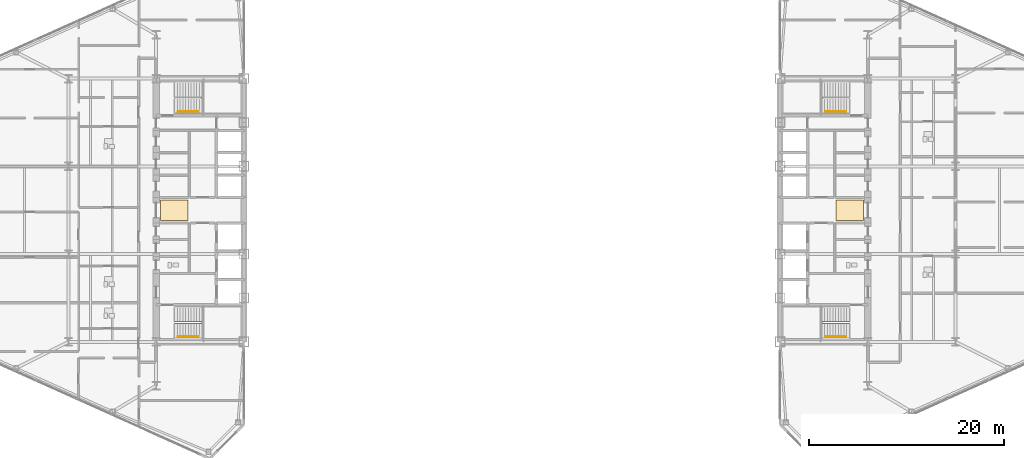
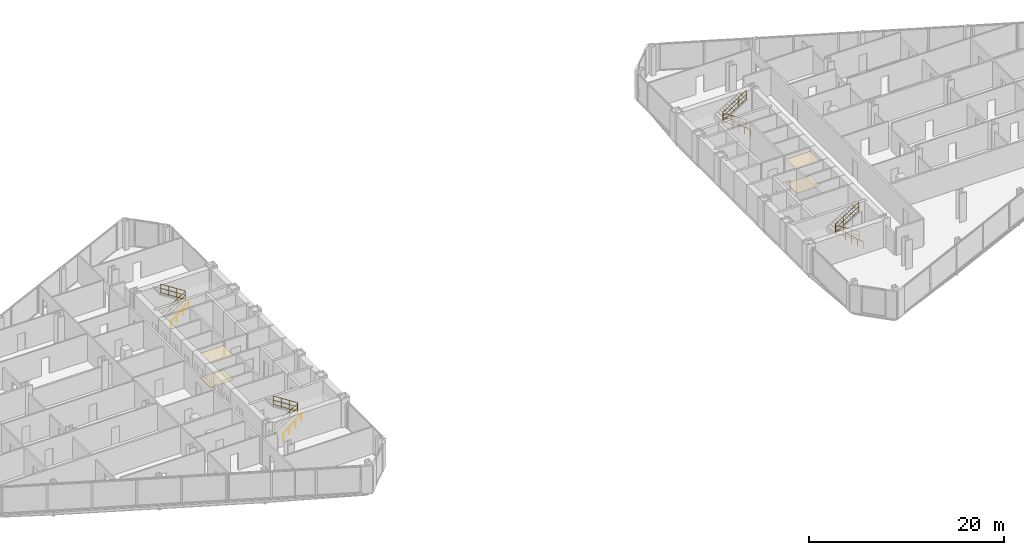
# One storey, part 26 of 27: 8 railings, 4 coverings.
"""IFC4 building model written with IfcOpenShell, lengths in metres."""

from ifc_helpers import new_model, si_unit, direction, frame, origin, origin_2d, place, context, subcontext, project, spatial, polyline, circle, outline, extrude, material, layer, layer_set, type_object, element, save


model = new_model("IFC4")

# Units and contexts
model_context = context("Model", 3, precision=1e-05, world=origin(), true_north=direction((0.0, 1.0)))
body_context = subcontext(model_context, "Body", "Model", "MODEL_VIEW")
ifc_project = project(units=[si_unit("LENGTHUNIT", "METRE"), si_unit("AREAUNIT", "SQUARE_METRE"), si_unit("VOLUMEUNIT", "CUBIC_METRE"), si_unit("PLANEANGLEUNIT", "RADIAN"), si_unit("MASSUNIT", "GRAM", prefix="KILO")], contexts=[model_context])

# Site, building, storey
site_placement = place(None, origin())
site = spatial("IfcSite", under=ifc_project, at=site_placement, CompositionType="ELEMENT")
building_placement = place(site_placement, origin())
building = spatial("IfcBuilding", under=site, at=building_placement, Name="Seokmaru Belvedere", CompositionType="ELEMENT")
storey_placement = place(building_placement, frame((0.0, 0.0, 76.5)))
storey = spatial("IfcBuildingStorey", under=building, at=storey_placement, Name="L20", CompositionType="ELEMENT", Elevation=76.5)

# Coverings
ifc_material_1 = material(Name="Engineered White Oak Timber", Category="wood")
ifc_layer_1 = layer(ifc_material_1, 0.02197265625)
ifc_layer_set_1 = layer_set([ifc_layer_1], Name="Engineered White Oak Timber")
covering_type_1 = type_object("IfcCoveringType", Name="Engineered Oak Residence Floor Finish 22", PredefinedType="FLOORING", material=ifc_layer_set_1)
covering_1_placement = place(storey_placement, origin())
element("IfcCovering", 1, at=covering_1_placement, inside=storey, type_object=covering_type_1, Name="L20 W Foyer Floor Finish", PredefinedType="FLOORING", context=body_context, shape_type="SweptSolid", body=[
    extrude(outline(polyline([(-36.050048828125, -1.050048828125), (-33.25, -1.050048828125), (-33.25, 1.050048828125), (-36.050048828125, 1.050048828125), (-36.050048828125, -1.050048828125)])), origin(), (0.0, 0.0, 1.0), 0.02197265625),
])
covering_2_placement = place(storey_placement, origin())
element("IfcCovering", 2, at=covering_2_placement, inside=storey, type_object=covering_type_1, Name="L20 E Foyer Floor Finish", PredefinedType="FLOORING", context=body_context, shape_type="SweptSolid", body=[
    extrude(outline(polyline([(33.25, -1.050048828125), (36.050048828125, -1.050048828125), (36.050048828125, 1.050048828125), (33.25, 1.050048828125), (33.25, -1.050048828125)])), origin(), (0.0, 0.0, 1.0), 0.02197265625),
])
ifc_material_2 = material(Name="Fire-Rated Gypsum Shaftwall")
ifc_layer_2 = layer(ifc_material_2, 0.02490234375)
ifc_layer_set_2 = layer_set([ifc_layer_2], Name="Fire-Rated Gypsum Shaftwall")
covering_type_2 = type_object("IfcCoveringType", Name="Perforated Acoustic Gypsum Suspended Ceiling 25", PredefinedType="CEILING", material=ifc_layer_set_2)
covering_3_placement = place(storey_placement, frame((0.0, 0.0, 3.030029296875)))
element("IfcCovering", 3, at=covering_3_placement, inside=storey, type_object=covering_type_2, Name="L20 W Lift Foyer Acoustic Ceiling", PredefinedType="CEILING", context=body_context, shape_type="SweptSolid", body=[
    extrude(outline(polyline([(-36.050048828125, -1.050048828125), (-33.25, -1.050048828125), (-33.25, 1.050048828125), (-36.050048828125, 1.050048828125), (-36.050048828125, -1.050048828125)])), origin(), (0.0, 0.0, 1.0), 0.02490234375),
])
covering_4_placement = place(storey_placement, frame((0.0, 0.0, 3.030029296875)))
element("IfcCovering", 4, at=covering_4_placement, inside=storey, type_object=covering_type_2, Name="L20 E Lift Foyer Acoustic Ceiling", PredefinedType="CEILING", context=body_context, shape_type="SweptSolid", body=[
    extrude(outline(polyline([(33.25, -1.050048828125), (36.050048828125, -1.050048828125), (36.050048828125, 1.050048828125), (33.25, 1.050048828125), (33.25, -1.050048828125)])), origin(), (0.0, 0.0, 1.0), 0.02490234375),
])

# Railings
ifc_material_3 = material(Name="Stainless Steel 316", Category="steel")
railing_type_1 = type_object("IfcRailingType", Name="Stainless Steel Wall and Flight Handrail 900", PredefinedType="HANDRAIL", material=ifc_material_3)
for number, where, name in (
    (5, (-34.25, -12.949951171875, 0.0), "L20 Stair ST-W1 Wall Handrail"),
    (6, (-34.25, 10.110107421875, 0.0), "L20 Stair ST-W2 Wall Handrail"),
):
    element("IfcRailing", number, at=place(storey_placement, frame(where)), inside=storey, type_object=railing_type_1, Name=name, PredefinedType="HANDRAIL", context=body_context, shape_type="SweptSolid", body=[
        extrude(circle(Radius=0.02392578125, at=origin_2d()), frame((0.0, 0.0, 0.8759765625), z_axis=(0.759262832861, 0.0, 0.650784104474), x_axis=(0.0, 1.0, 0.0)), (0.0, 0.0, 1.0), 2.765869140625),
        extrude(circle(Radius=0.02099609375, at=origin_2d()), origin(), (0.0, 0.0, 1.0), 0.851806640625),
        extrude(circle(Radius=0.02099609375, at=origin_2d()), frame((0.699951171875, 0.0, 0.60009765625)), (0.0, 0.0, 1.0), 0.851806640625),
        extrude(circle(Radius=0.02099609375, at=origin_2d()), frame((1.400146484375, 0.0, 1.199951171875)), (0.0, 0.0, 1.0), 0.851806640625),
        extrude(circle(Radius=0.02099609375, at=origin_2d()), frame((2.10009765625, 0.0, 1.800048828125)), (0.0, 0.0, 1.0), 0.851806640625),
    ])
for number, where, name in (
    (7, (34.25, -12.949951171875, 0.0), "L20 Stair ST-E1 Wall Handrail"),
    (8, (34.25, 10.110107421875, 0.0), "L20 Stair ST-E2 Wall Handrail"),
):
    element("IfcRailing", number, at=place(storey_placement, frame(where)), inside=storey, type_object=railing_type_1, Name=name, PredefinedType="HANDRAIL", context=body_context, shape_type="SweptSolid", body=[
        extrude(circle(Radius=0.02392578125, at=origin_2d()), frame((0.0, 0.0, 0.8759765625), z_axis=(-0.759262832861, 0.0, 0.650784104474), x_axis=(0.0, -1.0, 0.0)), (0.0, 0.0, 1.0), 2.765869140625),
        extrude(circle(Radius=0.02099609375, at=origin_2d()), origin(), (0.0, 0.0, 1.0), 0.851806640625),
        extrude(circle(Radius=0.02099609375, at=origin_2d()), frame((-0.699951171875, 0.0, 0.60009765625)), (0.0, 0.0, 1.0), 0.851806640625),
        extrude(circle(Radius=0.02099609375, at=origin_2d()), frame((-1.400146484375, 0.0, 1.199951171875)), (0.0, 0.0, 1.0), 0.851806640625),
        extrude(circle(Radius=0.02099609375, at=origin_2d()), frame((-2.10009765625, 0.0, 1.800048828125)), (0.0, 0.0, 1.0), 0.851806640625),
    ])
railing_type_2 = type_object("IfcRailingType", Name="Stair Well and Atrium Steel Guardrail 1200", PredefinedType="GUARDRAIL", material=ifc_material_3)
railing_1_placement = place(storey_placement, frame((-34.60009765625, -11.60009765625, 0.0)))
element("IfcRailing", 9, at=railing_1_placement, inside=storey, type_object=railing_type_2, Name="L20 Stair ST-W1 Inner Well Guardrail", PredefinedType="GUARDRAIL", context=body_context, shape_type="SweptSolid", body=[
    extrude(circle(Radius=0.02392578125, at=origin_2d()), frame((0.0, 0.0, 1.17578125), z_axis=(0.841176092368, 0.0, 0.540761298198), x_axis=(0.0, 1.0, 0.0)), (0.0, 0.0, 1.0), 3.32861328125),
    extrude(circle(Radius=0.02392578125, at=origin_2d()), frame((0.0, 0.0, 0.1201171875), z_axis=(0.841176092368, 0.0, 0.540761298198), x_axis=(0.0, 1.0, 0.0)), (0.0, 0.0, 1.0), 3.32861328125),
    extrude(circle(Radius=0.02392578125, at=origin_2d()), frame((0.0, 0.0, 0.659912109375), z_axis=(0.841176092368, 0.0, 0.540761298198), x_axis=(0.0, 1.0, 0.0)), (0.0, 0.0, 1.0), 3.32861328125),
    extrude(circle(Radius=0.02392578125, at=origin_2d()), frame((2.800048828125, 0.0, 2.97607421875), z_axis=(0.0, 1.0, 0.0), x_axis=(-1.0, 0.0, 0.0)), (0.0, 0.0, 1.0), 0.14013671875),
    extrude(circle(Radius=0.02392578125, at=origin_2d()), frame((2.800048828125, 0.0, 1.920166015625), z_axis=(0.0, 1.0, 0.0), x_axis=(-1.0, 0.0, 0.0)), (0.0, 0.0, 1.0), 0.14013671875),
    extrude(circle(Radius=0.02392578125, at=origin_2d()), frame((2.800048828125, 0.0, 2.4599609375), z_axis=(0.0, 1.0, 0.0), x_axis=(-1.0, 0.0, 0.0)), (0.0, 0.0, 1.0), 0.14013671875),
    extrude(circle(Radius=0.02392578125, at=origin_2d()), frame((2.800048828125, 0.14013671875, 2.97607421875), z_axis=(-0.841176092368, 0.0, 0.540761298198), x_axis=(0.0, -1.0, 0.0)), (0.0, 0.0, 1.0), 3.32861328125),
    extrude(circle(Radius=0.02392578125, at=origin_2d()), frame((2.800048828125, 0.14013671875, 1.920166015625), z_axis=(-0.841176092368, 0.0, 0.540761298198), x_axis=(0.0, -1.0, 0.0)), (0.0, 0.0, 1.0), 3.32861328125),
    extrude(circle(Radius=0.02392578125, at=origin_2d()), frame((2.800048828125, 0.14013671875, 2.4599609375), z_axis=(-0.841176092368, 0.0, 0.540761298198), x_axis=(0.0, -1.0, 0.0)), (0.0, 0.0, 1.0), 3.32861328125),
    extrude(circle(Radius=0.02099609375, at=origin_2d()), origin(), (0.0, 0.0, 1.0), 1.15185546875),
    extrude(circle(Radius=0.02099609375, at=origin_2d()), frame((0.933349609375, 0.0, 0.60009765625)), (0.0, 0.0, 1.0), 1.15185546875),
    extrude(circle(Radius=0.02099609375, at=origin_2d()), frame((1.86669921875, 0.0, 1.199951171875)), (0.0, 0.0, 1.0), 1.15185546875),
    extrude(circle(Radius=0.02099609375, at=origin_2d()), frame((2.800048828125, 0.0, 1.800048828125)), (0.0, 0.0, 1.0), 1.15185546875),
    extrude(circle(Radius=0.02099609375, at=origin_2d()), frame((2.800048828125, 0.14013671875, 1.800048828125)), (0.0, 0.0, 1.0), 1.15185546875),
    extrude(circle(Radius=0.02099609375, at=origin_2d()), frame((1.86669921875, 0.14013671875, 2.400146484375)), (0.0, 0.0, 1.0), 1.15185546875),
    extrude(circle(Radius=0.02099609375, at=origin_2d()), frame((0.933349609375, 0.14013671875, 3.0)), (0.0, 0.0, 1.0), 1.15185546875),
    extrude(circle(Radius=0.02099609375, at=origin_2d()), frame((0.0, 0.14013671875, 3.60009765625)), (0.0, 0.0, 1.0), 1.15185546875),
])
railing_2_placement = place(storey_placement, frame((-34.60009765625, 11.4599609375, 0.0)))
element("IfcRailing", 10, at=railing_2_placement, inside=storey, type_object=railing_type_2, Name="L20 Stair ST-W2 Inner Well Guardrail", PredefinedType="GUARDRAIL", context=body_context, shape_type="SweptSolid", body=[
    extrude(circle(Radius=0.02392578125, at=origin_2d()), frame((0.0, 0.0, 1.17578125), z_axis=(0.841176092368, 0.0, 0.540761298198), x_axis=(0.0, 1.0, 0.0)), (0.0, 0.0, 1.0), 3.32861328125),
    extrude(circle(Radius=0.02392578125, at=origin_2d()), frame((0.0, 0.0, 0.1201171875), z_axis=(0.841176092368, 0.0, 0.540761298198), x_axis=(0.0, 1.0, 0.0)), (0.0, 0.0, 1.0), 3.32861328125),
    extrude(circle(Radius=0.02392578125, at=origin_2d()), frame((0.0, 0.0, 0.659912109375), z_axis=(0.841176092368, 0.0, 0.540761298198), x_axis=(0.0, 1.0, 0.0)), (0.0, 0.0, 1.0), 3.32861328125),
    extrude(circle(Radius=0.02392578125, at=origin_2d()), frame((2.800048828125, 0.0, 2.97607421875), z_axis=(0.0, 1.0, 0.0), x_axis=(-1.0, 0.0, 0.0)), (0.0, 0.0, 1.0), 0.14013671875),
    extrude(circle(Radius=0.02392578125, at=origin_2d()), frame((2.800048828125, 0.0, 1.920166015625), z_axis=(0.0, 1.0, 0.0), x_axis=(-1.0, 0.0, 0.0)), (0.0, 0.0, 1.0), 0.14013671875),
    extrude(circle(Radius=0.02392578125, at=origin_2d()), frame((2.800048828125, 0.0, 2.4599609375), z_axis=(0.0, 1.0, 0.0), x_axis=(-1.0, 0.0, 0.0)), (0.0, 0.0, 1.0), 0.14013671875),
    extrude(circle(Radius=0.02392578125, at=origin_2d()), frame((2.800048828125, 0.14013671875, 2.97607421875), z_axis=(-0.841176092368, 0.0, 0.540761298198), x_axis=(0.0, -1.0, 0.0)), (0.0, 0.0, 1.0), 3.32861328125),
    extrude(circle(Radius=0.02392578125, at=origin_2d()), frame((2.800048828125, 0.14013671875, 1.920166015625), z_axis=(-0.841176092368, 0.0, 0.540761298198), x_axis=(0.0, -1.0, 0.0)), (0.0, 0.0, 1.0), 3.32861328125),
    extrude(circle(Radius=0.02392578125, at=origin_2d()), frame((2.800048828125, 0.14013671875, 2.4599609375), z_axis=(-0.841176092368, 0.0, 0.540761298198), x_axis=(0.0, -1.0, 0.0)), (0.0, 0.0, 1.0), 3.32861328125),
    extrude(circle(Radius=0.02099609375, at=origin_2d()), origin(), (0.0, 0.0, 1.0), 1.15185546875),
    extrude(circle(Radius=0.02099609375, at=origin_2d()), frame((0.933349609375, 0.0, 0.60009765625)), (0.0, 0.0, 1.0), 1.15185546875),
    extrude(circle(Radius=0.02099609375, at=origin_2d()), frame((1.86669921875, 0.0, 1.199951171875)), (0.0, 0.0, 1.0), 1.15185546875),
    extrude(circle(Radius=0.02099609375, at=origin_2d()), frame((2.800048828125, 0.0, 1.800048828125)), (0.0, 0.0, 1.0), 1.15185546875),
    extrude(circle(Radius=0.02099609375, at=origin_2d()), frame((2.800048828125, 0.14013671875, 1.800048828125)), (0.0, 0.0, 1.0), 1.15185546875),
    extrude(circle(Radius=0.02099609375, at=origin_2d()), frame((1.86669921875, 0.14013671875, 2.400146484375)), (0.0, 0.0, 1.0), 1.15185546875),
    extrude(circle(Radius=0.02099609375, at=origin_2d()), frame((0.933349609375, 0.14013671875, 3.0)), (0.0, 0.0, 1.0), 1.15185546875),
    extrude(circle(Radius=0.02099609375, at=origin_2d()), frame((0.0, 0.14013671875, 3.60009765625)), (0.0, 0.0, 1.0), 1.15185546875),
])
railing_3_placement = place(storey_placement, frame((34.60009765625, -11.60009765625, 0.0)))
element("IfcRailing", 11, at=railing_3_placement, inside=storey, type_object=railing_type_2, Name="L20 Stair ST-E1 Inner Well Guardrail", PredefinedType="GUARDRAIL", context=body_context, shape_type="SweptSolid", body=[
    extrude(circle(Radius=0.02392578125, at=origin_2d()), frame((0.0, 0.0, 1.17578125), z_axis=(-0.841176092368, 0.0, 0.540761298198), x_axis=(0.0, -1.0, 0.0)), (0.0, 0.0, 1.0), 3.32861328125),
    extrude(circle(Radius=0.02392578125, at=origin_2d()), frame((0.0, 0.0, 0.1201171875), z_axis=(-0.841176092368, 0.0, 0.540761298198), x_axis=(0.0, -1.0, 0.0)), (0.0, 0.0, 1.0), 3.32861328125),
    extrude(circle(Radius=0.02392578125, at=origin_2d()), frame((0.0, 0.0, 0.659912109375), z_axis=(-0.841176092368, 0.0, 0.540761298198), x_axis=(0.0, -1.0, 0.0)), (0.0, 0.0, 1.0), 3.32861328125),
    extrude(circle(Radius=0.02392578125, at=origin_2d()), frame((-2.800048828125, 0.0, 2.97607421875), z_axis=(0.0, 1.0, 0.0), x_axis=(-1.0, 0.0, 0.0)), (0.0, 0.0, 1.0), 0.14013671875),
    extrude(circle(Radius=0.02392578125, at=origin_2d()), frame((-2.800048828125, 0.0, 1.920166015625), z_axis=(0.0, 1.0, 0.0), x_axis=(-1.0, 0.0, 0.0)), (0.0, 0.0, 1.0), 0.14013671875),
    extrude(circle(Radius=0.02392578125, at=origin_2d()), frame((-2.800048828125, 0.0, 2.4599609375), z_axis=(0.0, 1.0, 0.0), x_axis=(-1.0, 0.0, 0.0)), (0.0, 0.0, 1.0), 0.14013671875),
    extrude(circle(Radius=0.02392578125, at=origin_2d()), frame((-2.800048828125, 0.14013671875, 2.97607421875), z_axis=(0.841176092368, 0.0, 0.540761298198), x_axis=(0.0, 1.0, 0.0)), (0.0, 0.0, 1.0), 3.32861328125),
    extrude(circle(Radius=0.02392578125, at=origin_2d()), frame((-2.800048828125, 0.14013671875, 1.920166015625), z_axis=(0.841176092368, 0.0, 0.540761298198), x_axis=(0.0, 1.0, 0.0)), (0.0, 0.0, 1.0), 3.32861328125),
    extrude(circle(Radius=0.02392578125, at=origin_2d()), frame((-2.800048828125, 0.14013671875, 2.4599609375), z_axis=(0.841176092368, 0.0, 0.540761298198), x_axis=(0.0, 1.0, 0.0)), (0.0, 0.0, 1.0), 3.32861328125),
    extrude(circle(Radius=0.02099609375, at=origin_2d()), origin(), (0.0, 0.0, 1.0), 1.15185546875),
    extrude(circle(Radius=0.02099609375, at=origin_2d()), frame((-0.933349609375, 0.0, 0.60009765625)), (0.0, 0.0, 1.0), 1.15185546875),
    extrude(circle(Radius=0.02099609375, at=origin_2d()), frame((-1.86669921875, 0.0, 1.199951171875)), (0.0, 0.0, 1.0), 1.15185546875),
    extrude(circle(Radius=0.02099609375, at=origin_2d()), frame((-2.800048828125, 0.0, 1.800048828125)), (0.0, 0.0, 1.0), 1.15185546875),
    extrude(circle(Radius=0.02099609375, at=origin_2d()), frame((-2.800048828125, 0.14013671875, 1.800048828125)), (0.0, 0.0, 1.0), 1.15185546875),
    extrude(circle(Radius=0.02099609375, at=origin_2d()), frame((-1.86669921875, 0.14013671875, 2.400146484375)), (0.0, 0.0, 1.0), 1.15185546875),
    extrude(circle(Radius=0.02099609375, at=origin_2d()), frame((-0.933349609375, 0.14013671875, 3.0)), (0.0, 0.0, 1.0), 1.15185546875),
    extrude(circle(Radius=0.02099609375, at=origin_2d()), frame((0.0, 0.14013671875, 3.60009765625)), (0.0, 0.0, 1.0), 1.15185546875),
])
railing_4_placement = place(storey_placement, frame((34.60009765625, 11.4599609375, 0.0)))
element("IfcRailing", 12, at=railing_4_placement, inside=storey, type_object=railing_type_2, Name="L20 Stair ST-E2 Inner Well Guardrail", PredefinedType="GUARDRAIL", context=body_context, shape_type="SweptSolid", body=[
    extrude(circle(Radius=0.02392578125, at=origin_2d()), frame((0.0, 0.0, 1.17578125), z_axis=(-0.841176092368, 0.0, 0.540761298198), x_axis=(0.0, -1.0, 0.0)), (0.0, 0.0, 1.0), 3.32861328125),
    extrude(circle(Radius=0.02392578125, at=origin_2d()), frame((0.0, 0.0, 0.1201171875), z_axis=(-0.841176092368, 0.0, 0.540761298198), x_axis=(0.0, -1.0, 0.0)), (0.0, 0.0, 1.0), 3.32861328125),
    extrude(circle(Radius=0.02392578125, at=origin_2d()), frame((0.0, 0.0, 0.659912109375), z_axis=(-0.841176092368, 0.0, 0.540761298198), x_axis=(0.0, -1.0, 0.0)), (0.0, 0.0, 1.0), 3.32861328125),
    extrude(circle(Radius=0.02392578125, at=origin_2d()), frame((-2.800048828125, 0.0, 2.97607421875), z_axis=(0.0, 1.0, 0.0), x_axis=(-1.0, 0.0, 0.0)), (0.0, 0.0, 1.0), 0.14013671875),
    extrude(circle(Radius=0.02392578125, at=origin_2d()), frame((-2.800048828125, 0.0, 1.920166015625), z_axis=(0.0, 1.0, 0.0), x_axis=(-1.0, 0.0, 0.0)), (0.0, 0.0, 1.0), 0.14013671875),
    extrude(circle(Radius=0.02392578125, at=origin_2d()), frame((-2.800048828125, 0.0, 2.4599609375), z_axis=(0.0, 1.0, 0.0), x_axis=(-1.0, 0.0, 0.0)), (0.0, 0.0, 1.0), 0.14013671875),
    extrude(circle(Radius=0.02392578125, at=origin_2d()), frame((-2.800048828125, 0.14013671875, 2.97607421875), z_axis=(0.841176092368, 0.0, 0.540761298198), x_axis=(0.0, 1.0, 0.0)), (0.0, 0.0, 1.0), 3.32861328125),
    extrude(circle(Radius=0.02392578125, at=origin_2d()), frame((-2.800048828125, 0.14013671875, 1.920166015625), z_axis=(0.841176092368, 0.0, 0.540761298198), x_axis=(0.0, 1.0, 0.0)), (0.0, 0.0, 1.0), 3.32861328125),
    extrude(circle(Radius=0.02392578125, at=origin_2d()), frame((-2.800048828125, 0.14013671875, 2.4599609375), z_axis=(0.841176092368, 0.0, 0.540761298198), x_axis=(0.0, 1.0, 0.0)), (0.0, 0.0, 1.0), 3.32861328125),
    extrude(circle(Radius=0.02099609375, at=origin_2d()), origin(), (0.0, 0.0, 1.0), 1.15185546875),
    extrude(circle(Radius=0.02099609375, at=origin_2d()), frame((-0.933349609375, 0.0, 0.60009765625)), (0.0, 0.0, 1.0), 1.15185546875),
    extrude(circle(Radius=0.02099609375, at=origin_2d()), frame((-1.86669921875, 0.0, 1.199951171875)), (0.0, 0.0, 1.0), 1.15185546875),
    extrude(circle(Radius=0.02099609375, at=origin_2d()), frame((-2.800048828125, 0.0, 1.800048828125)), (0.0, 0.0, 1.0), 1.15185546875),
    extrude(circle(Radius=0.02099609375, at=origin_2d()), frame((-2.800048828125, 0.14013671875, 1.800048828125)), (0.0, 0.0, 1.0), 1.15185546875),
    extrude(circle(Radius=0.02099609375, at=origin_2d()), frame((-1.86669921875, 0.14013671875, 2.400146484375)), (0.0, 0.0, 1.0), 1.15185546875),
    extrude(circle(Radius=0.02099609375, at=origin_2d()), frame((-0.933349609375, 0.14013671875, 3.0)), (0.0, 0.0, 1.0), 1.15185546875),
    extrude(circle(Radius=0.02099609375, at=origin_2d()), frame((0.0, 0.14013671875, 3.60009765625)), (0.0, 0.0, 1.0), 1.15185546875),
])

save(model, "model.ifc")
